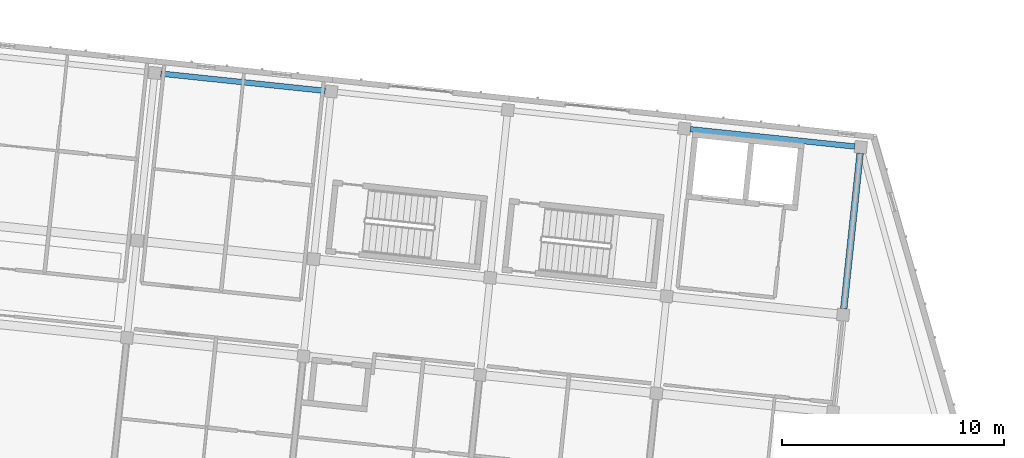
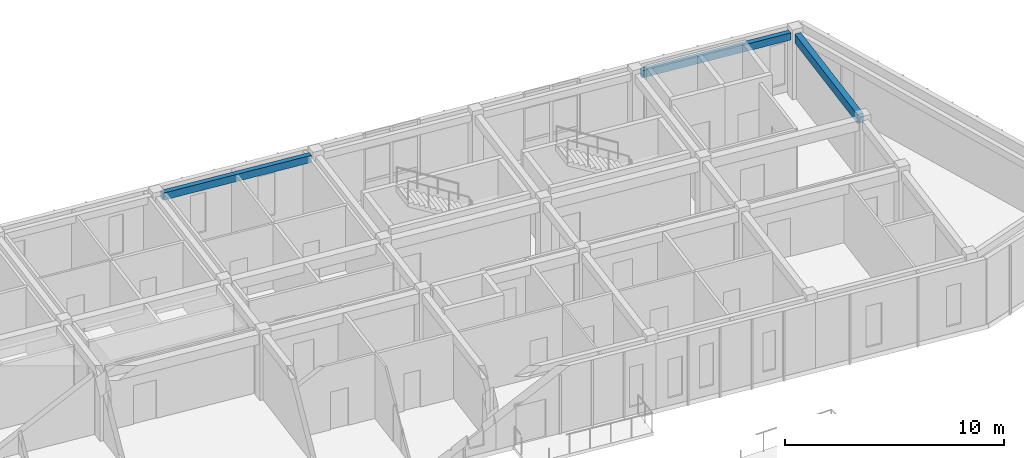
# One storey, part 65 of 150: 3 beams.
"""IFC4 building model written with IfcOpenShell, lengths in metres."""

from ifc_helpers import new_model, si_unit, direction, frame, origin, origin_2d, place, context, subcontext, project, spatial, rectangle, extrude, material, material_profile, profile_set, type_object, element, save


model = new_model("IFC4")

# Units and contexts
model_context = context("Model", 3, precision=1e-05, world=origin(), true_north=direction((0.0, 1.0)))
body_context = subcontext(model_context, "Body", "Model", "MODEL_VIEW")
ifc_project = project(units=[si_unit("LENGTHUNIT", "METRE"), si_unit("AREAUNIT", "SQUARE_METRE"), si_unit("VOLUMEUNIT", "CUBIC_METRE"), si_unit("PLANEANGLEUNIT", "RADIAN"), si_unit("MASSUNIT", "GRAM", prefix="KILO")], contexts=[model_context])

# Site, building, storey
site_placement = place(None, origin())
site = spatial("IfcSite", under=ifc_project, at=site_placement, CompositionType="ELEMENT")
building_placement = place(site_placement, origin())
building = spatial("IfcBuilding", under=site, at=building_placement, Name="Kestramere Prow Commons", CompositionType="ELEMENT")
storey_placement = place(building_placement, frame((0.0, 0.0, 4.5)))
storey = spatial("IfcBuildingStorey", under=building, at=storey_placement, Name="L01", CompositionType="ELEMENT", Elevation=4.5)

# Beams
ifc_material = material(Name="Precast concrete C40/50", Category="concrete")
ifc_material_profile_1 = material_profile(ifc_material, rectangle(XDim=0.300048828125, YDim=0.5, at=origin_2d()), Name="PC-BM 300x500")
ifc_profile_set_1 = profile_set([ifc_material_profile_1], Name="Precast concrete C40/50")
beam_type_1 = type_object("IfcBeamType", Name="BM-TIE-01 PC-BM 300x500", PredefinedType="BEAM", material=ifc_profile_set_1)
beam_placement = place(storey_placement, frame((159.02001953125, 101.990478515625, 3.39990234375), z_axis=(0.104549582151, 0.994519675458, 0.0), x_axis=(-0.994519675458, 0.104549582151, 0.0)))
element("IfcBeam", 1, at=beam_placement, inside=storey, type_object=beam_type_1, Name="Block B L01 Transverse Beam 7-3", PredefinedType="BEAM", context=body_context, shape_type="SweptSolid", body=[
    extrude(rectangle(XDim=0.300048828125, YDim=0.5, at=origin_2d()), origin(), (0.0, 0.0, 1.0), 7.0498046875),
])
ifc_material_profile_2 = material_profile(ifc_material, rectangle(XDim=0.25, YDim=0.39990234375, at=origin_2d()), Name="PC-SP 250x400")
ifc_profile_set_2 = profile_set([ifc_material_profile_2], Name="Precast concrete C40/50")
beam_type_2 = type_object("IfcBeamType", Name="SP-EXT-01 PC-SP 250x400", PredefinedType="SPANDREL", material=ifc_profile_set_2)
for number, where, z_axis, x_axis, name in (
    (2, (128.234619140625, 112.59130859375, 3.449951171875), (0.994524291149, -0.104505666419, 0.0), (0.104505666419, 0.994524291149, 0.0), "Block B L01 Longitudinal Beam 4-3"),
    (3, (152.10302734375, 110.082763671875, 3.449951171875), (0.994520884665, -0.104538079019, 0.0), (0.104538079019, 0.994520884665, 0.0), "Block B L01 Longitudinal Beam 4-6"),
):
    element("IfcBeam", number, at=place(storey_placement, frame(where, z_axis=z_axis, x_axis=x_axis)), inside=storey, type_object=beam_type_2, Name=name, PredefinedType="SPANDREL", context=body_context, shape_type="SweptSolid", body=[
        extrude(rectangle(XDim=0.25, YDim=0.39990234375, at=origin_2d()), origin(), (0.0, 0.0, 1.0), 7.449951171875),
    ])

save(model, "model.ifc")
